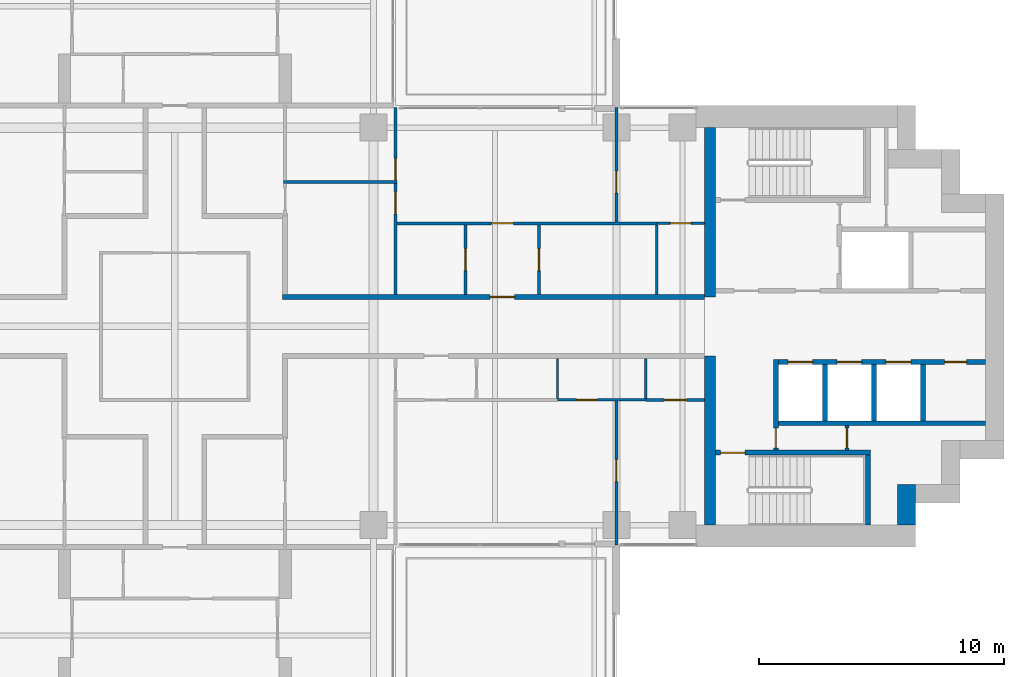
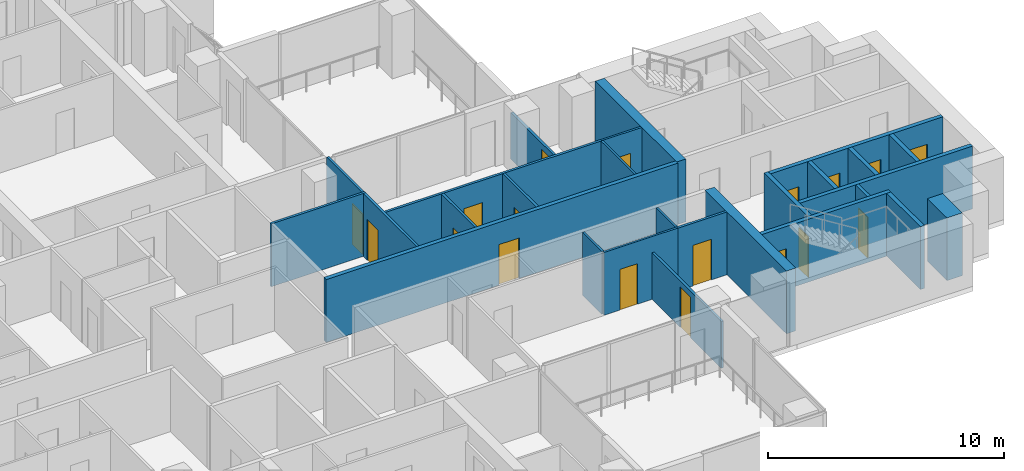
# One storey, part 12 of 18: 26 walls, 18 doors, 18 openings.
"""IFC4 building model written with IfcOpenShell, lengths in metres."""

from ifc_helpers import new_model, si_unit, direction, frame, frame_2d, origin, place, context, subcontext, project, spatial, rectangle, extrude, material, layer, layer_set, type_object, element, fill, save


model = new_model("IFC4")

# Units and contexts
model_context = context("Model", 3, precision=1e-05, world=origin(), true_north=direction((0.0, 1.0)))
body_context = subcontext(model_context, "Body", "Model", "MODEL_VIEW")
ifc_project = project(units=[si_unit("LENGTHUNIT", "METRE"), si_unit("AREAUNIT", "SQUARE_METRE"), si_unit("VOLUMEUNIT", "CUBIC_METRE"), si_unit("PLANEANGLEUNIT", "RADIAN"), si_unit("MASSUNIT", "GRAM", prefix="KILO")], contexts=[model_context])

# Site, building, storey
site_placement = place(None, origin())
site = spatial("IfcSite", under=ifc_project, at=site_placement, CompositionType="ELEMENT")
building_placement = place(site_placement, origin())
building = spatial("IfcBuilding", under=site, at=building_placement, Name="Perihelion Cross Residences", CompositionType="ELEMENT")
storey_placement = place(building_placement, frame((0.0, 0.0, 123.39990234375)))
storey = spatial("IfcBuildingStorey", under=building, at=storey_placement, Name="L29", CompositionType="ELEMENT", Elevation=123.39990234375)

# Wall, opening, door
ifc_material_1 = material(Name="Plasterboard partition")
ifc_layer_1 = layer(ifc_material_1, 0.199951171875)
ifc_layer_set_1 = layer_set([ifc_layer_1], Name="Apartment separation wall 200")
wall_type_1 = type_object("IfcWallType", Name="Apartment separation wall 200", PredefinedType="PARTITIONING", material=ifc_layer_set_1)
wall_1_placement = place(storey_placement, frame((4.39990234375, 1.199951171875, 0.0), z_axis=(0.0, 0.0, 1.0), x_axis=(1.0, 0.0, 0.0)))
wall_1 = element("IfcWall", 1, at=wall_1_placement, inside=storey, type_object=wall_type_1, Name="Partition L29 W005", PredefinedType="PARTITIONING", context=body_context, shape_type="SweptSolid", body=[
    extrude(rectangle(XDim=17.2001953125, YDim=0.199951171875, at=frame_2d((8.60009765625, 0.0))), origin(), (0.0, 0.0, 1.0), 3.25),
])
opening_1_placement = place(wall_1_placement, frame((8.449951171875, 0.0, 0.0)))
opening_1 = element("IfcOpeningElement", 2, at=opening_1_placement, cuts=wall_1, Name="Opening L29.A45", PredefinedType="OPENING", context=body_context, shape_type="SweptSolid", body=[
    extrude(rectangle(XDim=1.0, YDim=2.10009765625, at=frame_2d((0.5, 1.050048828125))), frame((0.0, 0.10986328125, 0.0), z_axis=(0.0, -1.0, 0.0), x_axis=(1.0, 0.0, 0.0)), (0.0, 0.0, 1.0), 0.219970703125),
])
ifc_material_2 = material(Name="Timber door leaf", Category="wood")
door_type_1 = type_object("IfcDoorType", Name="Flat entrance door 1000 x 2100", OperationType="SINGLE_SWING_LEFT", PredefinedType="DOOR", material=ifc_material_2)
door_1_placement = place(opening_1_placement, origin())
door_1 = element("IfcDoor", 3, at=door_1_placement, inside=storey, type_object=door_type_1, Name="Door L29.A45", OperationType="SINGLE_SWING_RIGHT", OverallHeight=2.10009765625, OverallWidth=1.0, PredefinedType="DOOR", context=body_context, shape_type="SweptSolid", body=[
    extrude(rectangle(XDim=1.0, YDim=2.10009765625, at=frame_2d((0.5, 1.050048828125))), frame((0.0, 0.02490234375, 0.0), z_axis=(0.0, -1.0, 0.0), x_axis=(1.0, 0.0, 0.0)), (0.0, 0.0, 1.0), 0.050048828125),
])
fill(opening_1, door_1)

# Walls
ifc_material_3 = material(Name="Concrete C60/75", Category="concrete")
ifc_layer_2 = layer(ifc_material_3, 0.449951171875)
ifc_layer_set_2 = layer_set([ifc_layer_2], Name="Core wall, inner 450")
wall_type_2 = type_object("IfcWallType", Name="Core wall, inner 450", PredefinedType="SHEAR", material=ifc_layer_set_2)
for number, where, z_axis, x_axis, name in (
    (4, (21.824951171875, -8.10009765625, 0.0), (0.0, 0.0, 1.0), (0.0, 1.0, 0.0), "East core core wall, inner"),
    (5, (21.824951171875, 1.199951171875, 0.0), (0.0, 0.0, 1.0), (0.0, 1.0, 0.0), "East core core wall, inner"),
):
    element("IfcWall", number, at=place(storey_placement, frame(where, z_axis=z_axis, x_axis=x_axis)), inside=storey, type_object=wall_type_2, Name=name, PredefinedType="SHEAR", context=body_context, shape_type="SweptSolid", body=[
        extrude(rectangle(XDim=6.900146484375, YDim=0.449951171875, at=frame_2d((3.4501953125, 0.0))), origin(), (0.0, 0.0, 1.0), 3.25),
    ])
ifc_material_4 = material(Name="Concrete C60/75", Category="concrete")
ifc_layer_3 = layer(ifc_material_4, 0.75)
ifc_layer_set_3 = layer_set([ifc_layer_3], Name="Core wall, outer 750")
wall_type_3 = type_object("IfcWallType", Name="Core wall, outer 750", PredefinedType="SHEAR", material=ifc_layer_set_3)
wall_2_placement = place(storey_placement, frame((29.824951171875, -8.10009765625, 0.0), z_axis=(0.0, 0.0, 1.0), x_axis=(0.0, 1.0, 0.0)))
element("IfcWall", 6, at=wall_2_placement, inside=storey, type_object=wall_type_3, Name="East core core wall, outer", PredefinedType="SHEAR", context=body_context, shape_type="SweptSolid", body=[
    extrude(rectangle(XDim=1.650146484375, YDim=0.75, at=frame_2d((0.8251953125, 0.0))), origin(), (0.0, 0.0, 1.0), 3.25),
])

# Wall, opening, door
ifc_material_5 = material(Name="Concrete C50/60", Category="concrete")
ifc_layer_4 = layer(ifc_material_5, 0.199951171875)
ifc_layer_set_4 = layer_set([ifc_layer_4], Name="Lobby wall 200")
wall_type_4 = type_object("IfcWallType", Name="Lobby wall 200", PredefinedType="SOLIDWALL", material=ifc_layer_set_4)
wall_3_placement = place(storey_placement, frame((24.5, -5.050048828125, 0.0), z_axis=(0.0, 0.0, 1.0), x_axis=(0.0, 1.0, 0.0)))
wall_3 = element("IfcWall", 7, at=wall_3_placement, inside=storey, type_object=wall_type_4, Name="East core lobby wall", PredefinedType="SOLIDWALL", context=body_context, shape_type="SweptSolid", body=[
    extrude(rectangle(XDim=3.699951171875, YDim=0.199951171875, at=frame_2d((1.85009765625, 0.0))), origin(), (0.0, 0.0, 1.0), 3.25),
])
opening_2_placement = place(wall_3_placement, frame((0.10009765625, 0.0, 0.0)))
opening_2 = element("IfcOpeningElement", 8, at=opening_2_placement, cuts=wall_3, Name="Opening L29.C08", PredefinedType="OPENING", context=body_context, shape_type="SweptSolid", body=[
    extrude(rectangle(XDim=0.800048828125, YDim=2.10009765625, at=frame_2d((0.39990234375, 1.050048828125))), frame((0.0, 0.10986328125, 0.0), z_axis=(0.0, -1.0, 0.0), x_axis=(1.0, 0.0, 0.0)), (0.0, 0.0, 1.0), 0.219970703125),
])
ifc_material_6 = material(Name="Steel, powder coated", Category="steel")
door_type_2 = type_object("IfcDoorType", Name="Riser door 800", OperationType="SINGLE_SWING_LEFT", PredefinedType="DOOR", material=ifc_material_6)
door_2_placement = place(opening_2_placement, origin())
door_2 = element("IfcDoor", 9, at=door_2_placement, inside=storey, type_object=door_type_2, Name="East core riser door", OperationType="SINGLE_SWING_LEFT", OverallHeight=2.10009765625, OverallWidth=0.800048828125, PredefinedType="DOOR", context=body_context, shape_type="SweptSolid", body=[
    extrude(rectangle(XDim=0.800048828125, YDim=2.10009765625, at=frame_2d((0.39990234375, 1.050048828125))), frame((0.0, 0.02490234375, 0.0), z_axis=(0.0, -1.0, 0.0), x_axis=(1.0, 0.0, 0.0)), (0.0, 0.0, 1.0), 0.050048828125),
])
fill(opening_2, door_2)

ifc_material_7 = material(Name="Plasterboard partition")
ifc_layer_5 = layer(ifc_material_7, 0.1201171875)
ifc_layer_set_5 = layer_set([ifc_layer_5], Name="Partition wall 120")
wall_type_5 = type_object("IfcWallType", Name="Partition wall 120", PredefinedType="PARTITIONING", material=ifc_layer_set_5)
wall_4_placement = place(storey_placement, frame((11.85009765625, 4.139892578125, 0.0), z_axis=(0.0, 0.0, 1.0), x_axis=(0.0, -1.0, 0.0)))
wall_4 = element("IfcWall", 10, at=wall_4_placement, inside=storey, type_object=wall_type_5, Name="Partition L29 W023", PredefinedType="PARTITIONING", context=body_context, shape_type="SweptSolid", body=[
    extrude(rectangle(XDim=2.83984375, YDim=0.1201171875, at=frame_2d((1.419921875, 0.0))), origin(), (0.0, 0.0, 1.0), 3.25),
])
opening_3_placement = place(wall_4_placement, frame((0.969970703125, 0.0, 0.0)))
opening_3 = element("IfcOpeningElement", 11, at=opening_3_placement, cuts=wall_4, Name="Opening L29.A06", PredefinedType="OPENING", context=body_context, shape_type="SweptSolid", body=[
    extrude(rectangle(XDim=0.89990234375, YDim=2.10009765625, at=frame_2d((0.449951171875, 1.050048828125))), frame((0.0, 0.070068359375, 0.0), z_axis=(0.0, -1.0, 0.0), x_axis=(1.0, 0.0, 0.0)), (0.0, 0.0, 1.0), 0.14013671875),
])
ifc_material_8 = material(Name="Timber door leaf", Category="wood")
door_type_3 = type_object("IfcDoorType", Name="Interior room door 900 x 2100", OperationType="SINGLE_SWING_LEFT", PredefinedType="DOOR", material=ifc_material_8)
door_3_placement = place(opening_3_placement, origin())
door_3 = element("IfcDoor", 12, at=door_3_placement, inside=storey, type_object=door_type_3, Name="Door L29.A06", OperationType="SINGLE_SWING_LEFT", OverallHeight=2.10009765625, OverallWidth=0.89990234375, PredefinedType="DOOR", context=body_context, shape_type="SweptSolid", body=[
    extrude(rectangle(XDim=0.89990234375, YDim=2.10009765625, at=frame_2d((0.449951171875, 1.050048828125))), frame((0.0, 0.02490234375, 0.0), z_axis=(0.0, -1.0, 0.0), x_axis=(1.0, 0.0, 0.0)), (0.0, 0.0, 1.0), 0.050048828125),
])
fill(opening_3, door_3)

wall_5_placement = place(storey_placement, frame((8.93994140625, 4.199951171875, 0.0), z_axis=(0.0, 0.0, 1.0), x_axis=(1.0, 0.0, 0.0)))
wall_5 = element("IfcWall", 13, at=wall_5_placement, inside=storey, type_object=wall_type_5, Name="Partition L29 W024", PredefinedType="PARTITIONING", context=body_context, shape_type="SweptSolid", body=[
    extrude(rectangle(XDim=10.7099609375, YDim=0.1201171875, at=frame_2d((5.35498046875, 0.0))), origin(), (0.0, 0.0, 1.0), 3.25),
])
opening_4_placement = place(wall_5_placement, frame((3.9599609375, 0.0, 0.0)))
opening_4 = element("IfcOpeningElement", 14, at=opening_4_placement, cuts=wall_5, Name="Opening L29.A07", PredefinedType="OPENING", context=body_context, shape_type="SweptSolid", body=[
    extrude(rectangle(XDim=0.89990234375, YDim=2.10009765625, at=frame_2d((0.449951171875, 1.050048828125))), frame((0.0, 0.070068359375, 0.0), z_axis=(0.0, -1.0, 0.0), x_axis=(1.0, 0.0, 0.0)), (0.0, 0.0, 1.0), 0.14013671875),
])
door_4_placement = place(opening_4_placement, origin())
door_4 = element("IfcDoor", 15, at=door_4_placement, inside=storey, type_object=door_type_3, Name="Door L29.A07", OperationType="SINGLE_SWING_LEFT", OverallHeight=2.10009765625, OverallWidth=0.89990234375, PredefinedType="DOOR", context=body_context, shape_type="SweptSolid", body=[
    extrude(rectangle(XDim=0.89990234375, YDim=2.10009765625, at=frame_2d((0.449951171875, 1.050048828125))), frame((0.0, 0.02490234375, 0.0), z_axis=(0.0, -1.0, 0.0), x_axis=(1.0, 0.0, 0.0)), (0.0, 0.0, 1.0), 0.050048828125),
])
fill(opening_4, door_4)

# Wall, openings, doors
wall_6_placement = place(storey_placement, frame((9.0, 1.300048828125, 0.0), z_axis=(0.0, 0.0, 1.0), x_axis=(0.0, 1.0, 0.0)))
wall_6 = element("IfcWall", 16, at=wall_6_placement, inside=storey, type_object=wall_type_5, Name="Partition L29 W025", PredefinedType="PARTITIONING", context=body_context, shape_type="SweptSolid", body=[
    extrude(rectangle(XDim=7.619873046875, YDim=0.1201171875, at=frame_2d((3.81005859375, 0.0))), origin(), (0.0, 0.0, 1.0), 3.25),
])
opening_5_placement = place(wall_6_placement, frame((3.2900390625, 0.0, 0.0)))
opening_5 = element("IfcOpeningElement", 17, at=opening_5_placement, cuts=wall_6, Name="Opening L29.A04", PredefinedType="OPENING", context=body_context, shape_type="SweptSolid", body=[
    extrude(rectangle(XDim=0.89990234375, YDim=2.10009765625, at=frame_2d((0.449951171875, 1.050048828125))), frame((0.0, 0.070068359375, 0.0), z_axis=(0.0, -1.0, 0.0), x_axis=(1.0, 0.0, 0.0)), (0.0, 0.0, 1.0), 0.14013671875),
])
opening_6_placement = place(wall_6_placement, frame((4.64990234375, 0.0, 0.0)))
opening_6 = element("IfcOpeningElement", 18, at=opening_6_placement, cuts=wall_6, Name="Opening L29.A08", PredefinedType="OPENING", context=body_context, shape_type="SweptSolid", body=[
    extrude(rectangle(XDim=0.89990234375, YDim=2.10009765625, at=frame_2d((0.449951171875, 1.050048828125))), frame((0.0, 0.070068359375, 0.0), z_axis=(0.0, -1.0, 0.0), x_axis=(1.0, 0.0, 0.0)), (0.0, 0.0, 1.0), 0.14013671875),
])
door_5_placement = place(opening_5_placement, origin())
door_5 = element("IfcDoor", 19, at=door_5_placement, inside=storey, type_object=door_type_3, Name="Door L29.A04", OperationType="SINGLE_SWING_RIGHT", OverallHeight=2.10009765625, OverallWidth=0.89990234375, PredefinedType="DOOR", context=body_context, shape_type="SweptSolid", body=[
    extrude(rectangle(XDim=0.89990234375, YDim=2.10009765625, at=frame_2d((0.449951171875, 1.050048828125))), frame((0.0, 0.02490234375, 0.0), z_axis=(0.0, -1.0, 0.0), x_axis=(1.0, 0.0, 0.0)), (0.0, 0.0, 1.0), 0.050048828125),
])
fill(opening_5, door_5)
door_6_placement = place(opening_6_placement, origin())
door_6 = element("IfcDoor", 20, at=door_6_placement, inside=storey, type_object=door_type_3, Name="Door L29.A08", OperationType="SINGLE_SWING_RIGHT", OverallHeight=2.10009765625, OverallWidth=0.89990234375, PredefinedType="DOOR", context=body_context, shape_type="SweptSolid", body=[
    extrude(rectangle(XDim=0.89990234375, YDim=2.10009765625, at=frame_2d((0.449951171875, 1.050048828125))), frame((0.0, 0.02490234375, 0.0), z_axis=(0.0, -1.0, 0.0), x_axis=(1.0, 0.0, 0.0)), (0.0, 0.0, 1.0), 0.050048828125),
])
fill(opening_6, door_6)

# Wall, opening, door
wall_7_placement = place(storey_placement, frame((14.85009765625, 4.139892578125, 0.0), z_axis=(0.0, 0.0, 1.0), x_axis=(0.0, -1.0, 0.0)))
wall_7 = element("IfcWall", 21, at=wall_7_placement, inside=storey, type_object=wall_type_5, Name="Partition L29 W026", PredefinedType="PARTITIONING", context=body_context, shape_type="SweptSolid", body=[
    extrude(rectangle(XDim=2.83984375, YDim=0.1201171875, at=frame_2d((1.419921875, 0.0))), origin(), (0.0, 0.0, 1.0), 3.25),
])
opening_7_placement = place(wall_7_placement, frame((0.969970703125, 0.0, 0.0)))
opening_7 = element("IfcOpeningElement", 22, at=opening_7_placement, cuts=wall_7, Name="Opening L29.A05", PredefinedType="OPENING", context=body_context, shape_type="SweptSolid", body=[
    extrude(rectangle(XDim=0.89990234375, YDim=2.10009765625, at=frame_2d((0.449951171875, 1.050048828125))), frame((0.0, 0.070068359375, 0.0), z_axis=(0.0, -1.0, 0.0), x_axis=(1.0, 0.0, 0.0)), (0.0, 0.0, 1.0), 0.14013671875),
])
door_7_placement = place(opening_7_placement, origin())
door_7 = element("IfcDoor", 23, at=door_7_placement, inside=storey, type_object=door_type_3, Name="Door L29.A05", OperationType="SINGLE_SWING_RIGHT", OverallHeight=2.10009765625, OverallWidth=0.89990234375, PredefinedType="DOOR", context=body_context, shape_type="SweptSolid", body=[
    extrude(rectangle(XDim=0.89990234375, YDim=2.10009765625, at=frame_2d((0.449951171875, 1.050048828125))), frame((0.0, 0.02490234375, 0.0), z_axis=(0.0, -1.0, 0.0), x_axis=(1.0, 0.0, 0.0)), (0.0, 0.0, 1.0), 0.050048828125),
])
fill(opening_7, door_7)

wall_8_placement = place(storey_placement, frame((18.0, 8.919921875, 0.0), z_axis=(0.0, 0.0, 1.0), x_axis=(0.0, -1.0, 0.0)))
wall_8 = element("IfcWall", 24, at=wall_8_placement, inside=storey, type_object=wall_type_5, Name="Partition L29 W029", PredefinedType="PARTITIONING", context=body_context, shape_type="SweptSolid", body=[
    extrude(rectangle(XDim=4.659912109375, YDim=0.1201171875, at=frame_2d((2.330078125, 0.0))), origin(), (0.0, 0.0, 1.0), 2.4140625),
])
opening_8_placement = place(wall_8_placement, frame((2.590087890625, 0.0, 0.0)))
opening_8 = element("IfcOpeningElement", 25, at=opening_8_placement, cuts=wall_8, Name="Opening L29.A02", PredefinedType="OPENING", context=body_context, shape_type="SweptSolid", body=[
    extrude(rectangle(XDim=0.89990234375, YDim=2.10009765625, at=frame_2d((0.449951171875, 1.050048828125))), frame((0.0, 0.070068359375, 0.0), z_axis=(0.0, -1.0, 0.0), x_axis=(1.0, 0.0, 0.0)), (0.0, 0.0, 1.0), 0.14013671875),
])
door_8_placement = place(opening_8_placement, origin())
door_8 = element("IfcDoor", 26, at=door_8_placement, inside=storey, type_object=door_type_3, Name="Door L29.A02", OperationType="SINGLE_SWING_LEFT", OverallHeight=2.10009765625, OverallWidth=0.89990234375, PredefinedType="DOOR", context=body_context, shape_type="SweptSolid", body=[
    extrude(rectangle(XDim=0.89990234375, YDim=2.10009765625, at=frame_2d((0.449951171875, 1.050048828125))), frame((0.0, 0.02490234375, 0.0), z_axis=(0.0, -1.0, 0.0), x_axis=(1.0, 0.0, 0.0)), (0.0, 0.0, 1.0), 0.050048828125),
])
fill(opening_8, door_8)

# Wall
wall_9_placement = place(storey_placement, frame((4.43994140625, 5.8798828125, 0.0), z_axis=(0.0, 0.0, 1.0), x_axis=(1.0, 0.0, 0.0)))
element("IfcWall", 27, at=wall_9_placement, inside=storey, type_object=wall_type_5, Name="Partition L29 W030", PredefinedType="PARTITIONING", context=body_context, shape_type="SweptSolid", body=[
    extrude(rectangle(XDim=4.6201171875, YDim=0.1201171875, at=frame_2d((2.31005859375, 0.0))), origin(), (0.0, 0.0, 1.0), 3.25),
])

# Wall, opening, door
wall_10_placement = place(storey_placement, frame((21.60009765625, -3.0, 0.0), z_axis=(0.0, 0.0, 1.0), x_axis=(-1.0, 0.0, 0.0)))
wall_10 = element("IfcWall", 28, at=wall_10_placement, inside=storey, type_object=wall_type_5, Name="Partition L29 W038", PredefinedType="PARTITIONING", context=body_context, shape_type="SweptSolid", body=[
    extrude(rectangle(XDim=2.400146484375, YDim=0.1201171875, at=frame_2d((1.2001953125, 0.0))), origin(), (0.0, 0.0, 1.0), 3.25),
])
opening_9_placement = place(wall_10_placement, frame((0.75, 0.0, 0.0)))
opening_9 = element("IfcOpeningElement", 29, at=opening_9_placement, cuts=wall_10, Name="Opening L29.A14", PredefinedType="OPENING", context=body_context, shape_type="SweptSolid", body=[
    extrude(rectangle(XDim=0.89990234375, YDim=2.10009765625, at=frame_2d((0.449951171875, 1.050048828125))), frame((0.0, 0.070068359375, 0.0), z_axis=(0.0, -1.0, 0.0), x_axis=(1.0, 0.0, 0.0)), (0.0, 0.0, 1.0), 0.14013671875),
])
door_9_placement = place(opening_9_placement, origin())
door_9 = element("IfcDoor", 30, at=door_9_placement, inside=storey, type_object=door_type_3, Name="Door L29.A14", OperationType="SINGLE_SWING_LEFT", OverallHeight=2.10009765625, OverallWidth=0.89990234375, PredefinedType="DOOR", context=body_context, shape_type="SweptSolid", body=[
    extrude(rectangle(XDim=0.89990234375, YDim=2.10009765625, at=frame_2d((0.449951171875, 1.050048828125))), frame((0.0, 0.02490234375, 0.0), z_axis=(0.0, -1.0, 0.0), x_axis=(1.0, 0.0, 0.0)), (0.0, 0.0, 1.0), 0.050048828125),
])
fill(opening_9, door_9)

wall_11_placement = place(storey_placement, frame((18.0, -3.050048828125, 0.0), z_axis=(0.0, 0.0, 1.0), x_axis=(0.0, -1.0, 0.0)))
wall_11 = element("IfcWall", 31, at=wall_11_placement, inside=storey, type_object=wall_type_5, Name="Partition L29 W039", PredefinedType="PARTITIONING", context=body_context, shape_type="SweptSolid", body=[
    extrude(rectangle(XDim=5.869873046875, YDim=0.1201171875, at=frame_2d((2.93505859375, 0.0))), origin(), (0.0, 0.0, 1.0), 2.4140625),
])
opening_10_placement = place(wall_11_placement, frame((2.375, 0.0, 0.0)))
opening_10 = element("IfcOpeningElement", 32, at=opening_10_placement, cuts=wall_11, Name="Opening L29.A10", PredefinedType="OPENING", context=body_context, shape_type="SweptSolid", body=[
    extrude(rectangle(XDim=0.89990234375, YDim=2.10009765625, at=frame_2d((0.449951171875, 1.050048828125))), frame((0.0, 0.070068359375, 0.0), z_axis=(0.0, -1.0, 0.0), x_axis=(1.0, 0.0, 0.0)), (0.0, 0.0, 1.0), 0.14013671875),
])
door_10_placement = place(opening_10_placement, origin())
door_10 = element("IfcDoor", 33, at=door_10_placement, inside=storey, type_object=door_type_3, Name="Door L29.A10", OperationType="SINGLE_SWING_LEFT", OverallHeight=2.10009765625, OverallWidth=0.89990234375, PredefinedType="DOOR", context=body_context, shape_type="SweptSolid", body=[
    extrude(rectangle(XDim=0.89990234375, YDim=2.10009765625, at=frame_2d((0.449951171875, 1.050048828125))), frame((0.0, 0.02490234375, 0.0), z_axis=(0.0, -1.0, 0.0), x_axis=(1.0, 0.0, 0.0)), (0.0, 0.0, 1.0), 0.050048828125),
])
fill(opening_10, door_10)

ifc_material_9 = material(Name="Fire-rated board on steel stud", Category="steel")
ifc_layer_6 = layer(ifc_material_9, 0.14990234375)
ifc_layer_set_6 = layer_set([ifc_layer_6], Name="Riser wall 150")
wall_type_6 = type_object("IfcWallType", Name="Riser wall 150", PredefinedType="PARTITIONING", material=ifc_layer_set_6)
wall_12_placement = place(storey_placement, frame((27.39990234375, -5.050048828125, 0.0), z_axis=(0.0, 0.0, 1.0), x_axis=(0.0, 1.0, 0.0)))
wall_12 = element("IfcWall", 34, at=wall_12_placement, inside=storey, type_object=wall_type_6, Name="East core riser wall", PredefinedType="PARTITIONING", context=body_context, shape_type="SweptSolid", body=[
    extrude(rectangle(XDim=1.0, YDim=0.14990234375, at=frame_2d((0.5, 0.0))), origin(), (0.0, 0.0, 1.0), 3.25),
])
opening_11_placement = place(wall_12_placement, frame((0.10009765625, 0.0, 0.0)))
opening_11 = element("IfcOpeningElement", 35, at=opening_11_placement, cuts=wall_12, Name="Opening L29.C11", PredefinedType="OPENING", context=body_context, shape_type="SweptSolid", body=[
    extrude(rectangle(XDim=0.800048828125, YDim=2.10009765625, at=frame_2d((0.39990234375, 1.050048828125))), frame((0.0, 0.0849609375, 0.0), z_axis=(0.0, -1.0, 0.0), x_axis=(1.0, 0.0, 0.0)), (0.0, 0.0, 1.0), 0.169921875),
])
door_11_placement = place(opening_11_placement, origin())
door_11 = element("IfcDoor", 36, at=door_11_placement, inside=storey, type_object=door_type_2, Name="East core riser door", OperationType="SINGLE_SWING_LEFT", OverallHeight=2.10009765625, OverallWidth=0.800048828125, PredefinedType="DOOR", context=body_context, shape_type="SweptSolid", body=[
    extrude(rectangle(XDim=0.800048828125, YDim=2.10009765625, at=frame_2d((0.39990234375, 1.050048828125))), frame((0.0, 0.02490234375, 0.0), z_axis=(0.0, -1.0, 0.0), x_axis=(1.0, 0.0, 0.0)), (0.0, 0.0, 1.0), 0.050048828125),
])
fill(opening_11, door_11)

# Wall, openings, doors
ifc_material_10 = material(Name="Concrete C50/60", Category="concrete")
ifc_layer_7 = layer(ifc_material_10, 0.199951171875)
ifc_layer_set_7 = layer_set([ifc_layer_7], Name="Shaft wall 200")
wall_type_7 = type_object("IfcWallType", Name="Shaft wall 200", PredefinedType="SOLIDWALL", material=ifc_layer_set_7)
wall_13_placement = place(storey_placement, frame((24.60009765625, -1.449951171875, 0.0), z_axis=(0.0, 0.0, 1.0), x_axis=(1.0, 0.0, 0.0)))
wall_13 = element("IfcWall", 37, at=wall_13_placement, inside=storey, type_object=wall_type_7, Name="East core shaft wall", PredefinedType="SOLIDWALL", context=body_context, shape_type="SweptSolid", body=[
    extrude(rectangle(XDim=8.449951171875, YDim=0.199951171875, at=frame_2d((4.22509765625, 0.0))), origin(), (0.0, 0.0, 1.0), 3.25),
])
opening_12_placement = place(wall_13_placement, frame((0.39990234375, 0.0, 0.0)))
opening_12 = element("IfcOpeningElement", 38, at=opening_12_placement, cuts=wall_13, Name="Opening L29.C01", PredefinedType="OPENING", context=body_context, shape_type="SweptSolid", body=[
    extrude(rectangle(XDim=1.0, YDim=2.10009765625, at=frame_2d((0.5, 1.050048828125))), frame((0.0, 0.10986328125, 0.0), z_axis=(0.0, -1.0, 0.0), x_axis=(1.0, 0.0, 0.0)), (0.0, 0.0, 1.0), 0.219970703125),
])
opening_13_placement = place(wall_13_placement, frame((2.39990234375, 0.0, 0.0)))
opening_13 = element("IfcOpeningElement", 39, at=opening_13_placement, cuts=wall_13, Name="Opening L29.C03", PredefinedType="OPENING", context=body_context, shape_type="SweptSolid", body=[
    extrude(rectangle(XDim=1.0, YDim=2.10009765625, at=frame_2d((0.5, 1.050048828125))), frame((0.0, 0.10986328125, 0.0), z_axis=(0.0, -1.0, 0.0), x_axis=(1.0, 0.0, 0.0)), (0.0, 0.0, 1.0), 0.219970703125),
])
opening_14_placement = place(wall_13_placement, frame((4.39990234375, 0.0, 0.0)))
opening_14 = element("IfcOpeningElement", 40, at=opening_14_placement, cuts=wall_13, Name="Opening L29.C04", PredefinedType="OPENING", context=body_context, shape_type="SweptSolid", body=[
    extrude(rectangle(XDim=1.0, YDim=2.10009765625, at=frame_2d((0.5, 1.050048828125))), frame((0.0, 0.10986328125, 0.0), z_axis=(0.0, -1.0, 0.0), x_axis=(1.0, 0.0, 0.0)), (0.0, 0.0, 1.0), 0.219970703125),
])
opening_15_placement = place(wall_13_placement, frame((6.77490234375, 0.0, 0.0)))
opening_15 = element("IfcOpeningElement", 41, at=opening_15_placement, cuts=wall_13, Name="Opening L29.C14", PredefinedType="OPENING", context=body_context, shape_type="SweptSolid", body=[
    extrude(rectangle(XDim=0.89990234375, YDim=2.10009765625, at=frame_2d((0.449951171875, 1.050048828125))), frame((0.0, 0.10986328125, 0.0), z_axis=(0.0, -1.0, 0.0), x_axis=(1.0, 0.0, 0.0)), (0.0, 0.0, 1.0), 0.219970703125),
])
ifc_material_11 = material(Name="Stainless steel", Category="steel")
door_type_4 = type_object("IfcDoorType", Name="Landing door 1000", OperationType="DOUBLE_DOOR_SLIDING", PredefinedType="DOOR", material=ifc_material_11)
door_12_placement = place(opening_12_placement, origin())
door_12 = element("IfcDoor", 42, at=door_12_placement, inside=storey, type_object=door_type_4, Name="Landing door, East core high-rise lift 1", OperationType="DOUBLE_DOOR_SLIDING", OverallHeight=2.10009765625, OverallWidth=1.0, PredefinedType="DOOR", context=body_context, shape_type="SweptSolid", body=[
    extrude(rectangle(XDim=1.0, YDim=2.10009765625, at=frame_2d((0.5, 1.050048828125))), frame((0.0, 0.02490234375, 0.0), z_axis=(0.0, -1.0, 0.0), x_axis=(1.0, 0.0, 0.0)), (0.0, 0.0, 1.0), 0.050048828125),
])
fill(opening_12, door_12)
door_13_placement = place(opening_13_placement, origin())
door_13 = element("IfcDoor", 43, at=door_13_placement, inside=storey, type_object=door_type_4, Name="Landing door, East core high-rise lift 2", OperationType="DOUBLE_DOOR_SLIDING", OverallHeight=2.10009765625, OverallWidth=1.0, PredefinedType="DOOR", context=body_context, shape_type="SweptSolid", body=[
    extrude(rectangle(XDim=1.0, YDim=2.10009765625, at=frame_2d((0.5, 1.050048828125))), frame((0.0, 0.02490234375, 0.0), z_axis=(0.0, -1.0, 0.0), x_axis=(1.0, 0.0, 0.0)), (0.0, 0.0, 1.0), 0.050048828125),
])
fill(opening_13, door_13)
door_14_placement = place(opening_14_placement, origin())
door_14 = element("IfcDoor", 44, at=door_14_placement, inside=storey, type_object=door_type_4, Name="Landing door, East core high-rise lift 3", OperationType="DOUBLE_DOOR_SLIDING", OverallHeight=2.10009765625, OverallWidth=1.0, PredefinedType="DOOR", context=body_context, shape_type="SweptSolid", body=[
    extrude(rectangle(XDim=1.0, YDim=2.10009765625, at=frame_2d((0.5, 1.050048828125))), frame((0.0, 0.02490234375, 0.0), z_axis=(0.0, -1.0, 0.0), x_axis=(1.0, 0.0, 0.0)), (0.0, 0.0, 1.0), 0.050048828125),
])
fill(opening_14, door_14)
ifc_material_12 = material(Name="Steel, powder coated", Category="steel")
door_type_5 = type_object("IfcDoorType", Name="Service room door 900", OperationType="SINGLE_SWING_LEFT", PredefinedType="DOOR", material=ifc_material_12)
door_15_placement = place(opening_15_placement, origin())
door_15 = element("IfcDoor", 45, at=door_15_placement, inside=storey, type_object=door_type_5, Name="East core service room door", OperationType="SINGLE_SWING_LEFT", OverallHeight=2.10009765625, OverallWidth=0.89990234375, PredefinedType="DOOR", context=body_context, shape_type="SweptSolid", body=[
    extrude(rectangle(XDim=0.89990234375, YDim=2.10009765625, at=frame_2d((0.449951171875, 1.050048828125))), frame((0.0, 0.02490234375, 0.0), z_axis=(0.0, -1.0, 0.0), x_axis=(1.0, 0.0, 0.0)), (0.0, 0.0, 1.0), 0.050048828125),
])
fill(opening_15, door_15)

# Walls
wall_14_placement = place(storey_placement, frame((24.60009765625, -3.949951171875, 0.0), z_axis=(0.0, 0.0, 1.0), x_axis=(1.0, 0.0, 0.0)))
element("IfcWall", 46, at=wall_14_placement, inside=storey, type_object=wall_type_7, Name="East core shaft wall", PredefinedType="SOLIDWALL", context=body_context, shape_type="SweptSolid", body=[
    extrude(rectangle(XDim=8.449951171875, YDim=0.199951171875, at=frame_2d((4.22509765625, 0.0))), origin(), (0.0, 0.0, 1.0), 3.25),
])
for number, where, z_axis, x_axis, name in (
    (47, (26.5, -3.85009765625, 0.0), (0.0, 0.0, 1.0), (0.0, 1.0, 0.0), "East core shaft wall"),
    (48, (28.5, -3.85009765625, 0.0), (0.0, 0.0, 1.0), (0.0, 1.0, 0.0), "East core shaft wall"),
    (49, (30.5, -3.85009765625, 0.0), (0.0, 0.0, 1.0), (0.0, 1.0, 0.0), "East core shaft wall"),
):
    element("IfcWall", number, at=place(storey_placement, frame(where, z_axis=z_axis, x_axis=x_axis)), inside=storey, type_object=wall_type_7, Name=name, PredefinedType="SOLIDWALL", context=body_context, shape_type="SweptSolid", body=[
        extrude(rectangle(XDim=2.300048828125, YDim=0.199951171875, at=frame_2d((1.14990234375, 0.0))), origin(), (0.0, 0.0, 1.0), 3.25),
    ])

# Wall, opening, door
ifc_material_13 = material(Name="Concrete C50/60", Category="concrete")
ifc_layer_8 = layer(ifc_material_13, 0.199951171875)
ifc_layer_set_8 = layer_set([ifc_layer_8], Name="Stair wall 200")
wall_type_8 = type_object("IfcWallType", Name="Stair wall 200", PredefinedType="SOLIDWALL", material=ifc_layer_set_8)
wall_15_placement = place(storey_placement, frame((22.050048828125, -5.14990234375, 0.0), z_axis=(0.0, 0.0, 1.0), x_axis=(1.0, 0.0, 0.0)))
wall_15 = element("IfcWall", 50, at=wall_15_placement, inside=storey, type_object=wall_type_8, Name="East core stair wall", PredefinedType="SOLIDWALL", context=body_context, shape_type="SweptSolid", body=[
    extrude(rectangle(XDim=6.300048828125, YDim=0.199951171875, at=frame_2d((3.14990234375, 0.0))), origin(), (0.0, 0.0, 1.0), 3.25),
])
opening_16_placement = place(wall_15_placement, frame((0.199951171875, 0.0, 0.0)))
opening_16 = element("IfcOpeningElement", 51, at=opening_16_placement, cuts=wall_15, Name="Opening L29.C05", PredefinedType="OPENING", context=body_context, shape_type="SweptSolid", body=[
    extrude(rectangle(XDim=1.0, YDim=2.10009765625, at=frame_2d((0.5, 1.050048828125))), frame((0.0, 0.10986328125, 0.0), z_axis=(0.0, -1.0, 0.0), x_axis=(1.0, 0.0, 0.0)), (0.0, 0.0, 1.0), 0.219970703125),
])
ifc_material_14 = material(Name="Steel, powder coated", Category="steel")
door_type_6 = type_object("IfcDoorType", Name="Stair door 1000", OperationType="SINGLE_SWING_LEFT", PredefinedType="DOOR", material=ifc_material_14)
door_16_placement = place(opening_16_placement, origin())
door_16 = element("IfcDoor", 52, at=door_16_placement, inside=storey, type_object=door_type_6, Name="East core stair door", OperationType="SINGLE_SWING_LEFT", OverallHeight=2.10009765625, OverallWidth=1.0, PredefinedType="DOOR", context=body_context, shape_type="SweptSolid", body=[
    extrude(rectangle(XDim=1.0, YDim=2.10009765625, at=frame_2d((0.5, 1.050048828125))), frame((0.0, 0.02490234375, 0.0), z_axis=(0.0, -1.0, 0.0), x_axis=(1.0, 0.0, 0.0)), (0.0, 0.0, 1.0), 0.050048828125),
])
fill(opening_16, door_16)

# Walls
wall_16_placement = place(storey_placement, frame((28.25, -8.10009765625, 0.0), z_axis=(0.0, 0.0, 1.0), x_axis=(0.0, 1.0, 0.0)))
element("IfcWall", 53, at=wall_16_placement, inside=storey, type_object=wall_type_8, Name="East core stair wall", PredefinedType="SOLIDWALL", context=body_context, shape_type="SweptSolid", body=[
    extrude(rectangle(XDim=2.85009765625, YDim=0.199951171875, at=frame_2d((1.425048828125, 0.0))), origin(), (0.0, 0.0, 1.0), 3.25),
])
ifc_material_15 = material(Name="Plasterboard partition")
ifc_layer_9 = layer(ifc_material_15, 0.10009765625)
ifc_layer_set_9 = layer_set([ifc_layer_9], Name="Wet room wall 100")
wall_type_9 = type_object("IfcWallType", Name="Wet room wall 100", PredefinedType="PARTITIONING", material=ifc_layer_set_9)
wall_17_placement = place(storey_placement, frame((19.64990234375, 4.139892578125, 0.0), z_axis=(0.0, 0.0, 1.0), x_axis=(0.0, -1.0, 0.0)))
element("IfcWall", 54, at=wall_17_placement, inside=storey, type_object=wall_type_9, Name="Partition L29 W027", PredefinedType="PARTITIONING", context=body_context, shape_type="SweptSolid", body=[
    extrude(rectangle(XDim=2.83984375, YDim=0.10009765625, at=frame_2d((1.419921875, 0.0))), origin(), (0.0, 0.0, 1.0), 3.25),
])

# Wall, opening, door
wall_18_placement = place(storey_placement, frame((19.64990234375, 4.199951171875, 0.0), z_axis=(0.0, 0.0, 1.0), x_axis=(1.0, 0.0, 0.0)))
wall_18 = element("IfcWall", 55, at=wall_18_placement, inside=storey, type_object=wall_type_9, Name="Partition L29 W028", PredefinedType="PARTITIONING", context=body_context, shape_type="SweptSolid", body=[
    extrude(rectangle(XDim=1.9501953125, YDim=0.10009765625, at=frame_2d((0.97509765625, 0.0))), origin(), (0.0, 0.0, 1.0), 3.25),
])
opening_17_placement = place(wall_18_placement, frame((0.550048828125, 0.0, 0.0)))
opening_17 = element("IfcOpeningElement", 56, at=opening_17_placement, cuts=wall_18, Name="Opening L29.A09", PredefinedType="OPENING", context=body_context, shape_type="SweptSolid", body=[
    extrude(rectangle(XDim=0.85009765625, YDim=2.10009765625, at=frame_2d((0.425048828125, 1.050048828125))), frame((0.0, 0.06005859375, 0.0), z_axis=(0.0, -1.0, 0.0), x_axis=(1.0, 0.0, 0.0)), (0.0, 0.0, 1.0), 0.1201171875),
])
ifc_material_16 = material(Name="Timber door leaf", Category="wood")
door_type_7 = type_object("IfcDoorType", Name="Interior bathroom door 850 x 2100", OperationType="SINGLE_SWING_LEFT", PredefinedType="DOOR", material=ifc_material_16)
door_17_placement = place(opening_17_placement, origin())
door_17 = element("IfcDoor", 57, at=door_17_placement, inside=storey, type_object=door_type_7, Name="Door L29.A09", OperationType="SINGLE_SWING_RIGHT", OverallHeight=2.10009765625, OverallWidth=0.85009765625, PredefinedType="DOOR", context=body_context, shape_type="SweptSolid", body=[
    extrude(rectangle(XDim=0.85009765625, YDim=2.10009765625, at=frame_2d((0.425048828125, 1.050048828125))), frame((0.0, 0.02490234375, 0.0), z_axis=(0.0, -1.0, 0.0), x_axis=(1.0, 0.0, 0.0)), (0.0, 0.0, 1.0), 0.050048828125),
])
fill(opening_17, door_17)

# Walls
for number, where, z_axis, x_axis, name in (
    (58, (15.60009765625, -1.300048828125, 0.0), (0.0, 0.0, 1.0), (0.0, -1.0, 0.0), "Partition L29 W035"),
    (59, (19.199951171875, -1.300048828125, 0.0), (0.0, 0.0, 1.0), (0.0, -1.0, 0.0), "Partition L29 W036"),
):
    element("IfcWall", number, at=place(storey_placement, frame(where, z_axis=z_axis, x_axis=x_axis)), inside=storey, type_object=wall_type_9, Name=name, PredefinedType="PARTITIONING", context=body_context, shape_type="SweptSolid", body=[
        extrude(rectangle(XDim=1.639892578125, YDim=0.10009765625, at=frame_2d((0.81982421875, 0.0))), origin(), (0.0, 0.0, 1.0), 3.25),
    ])

# Wall, opening, door
wall_19_placement = place(storey_placement, frame((19.199951171875, -3.0, 0.0), z_axis=(0.0, 0.0, 1.0), x_axis=(-1.0, 0.0, 0.0)))
wall_19 = element("IfcWall", 60, at=wall_19_placement, inside=storey, type_object=wall_type_9, Name="Partition L29 W037", PredefinedType="PARTITIONING", context=body_context, shape_type="SweptSolid", body=[
    extrude(rectangle(XDim=3.599853515625, YDim=0.10009765625, at=frame_2d((1.7998046875, 0.0))), origin(), (0.0, 0.0, 1.0), 3.25),
])
opening_18_placement = place(wall_19_placement, frame((1.97509765625, 0.0, 0.0)))
opening_18 = element("IfcOpeningElement", 61, at=opening_18_placement, cuts=wall_19, Name="Opening L29.A15", PredefinedType="OPENING", context=body_context, shape_type="SweptSolid", body=[
    extrude(rectangle(XDim=0.85009765625, YDim=2.10009765625, at=frame_2d((0.425048828125, 1.050048828125))), frame((0.0, 0.06005859375, 0.0), z_axis=(0.0, -1.0, 0.0), x_axis=(1.0, 0.0, 0.0)), (0.0, 0.0, 1.0), 0.1201171875),
])
door_18_placement = place(opening_18_placement, origin())
door_18 = element("IfcDoor", 62, at=door_18_placement, inside=storey, type_object=door_type_7, Name="Door L29.A15", OperationType="SINGLE_SWING_LEFT", OverallHeight=2.10009765625, OverallWidth=0.85009765625, PredefinedType="DOOR", context=body_context, shape_type="SweptSolid", body=[
    extrude(rectangle(XDim=0.85009765625, YDim=2.10009765625, at=frame_2d((0.425048828125, 1.050048828125))), frame((0.0, 0.02490234375, 0.0), z_axis=(0.0, -1.0, 0.0), x_axis=(1.0, 0.0, 0.0)), (0.0, 0.0, 1.0), 0.050048828125),
])
fill(opening_18, door_18)

save(model, "model.ifc")
